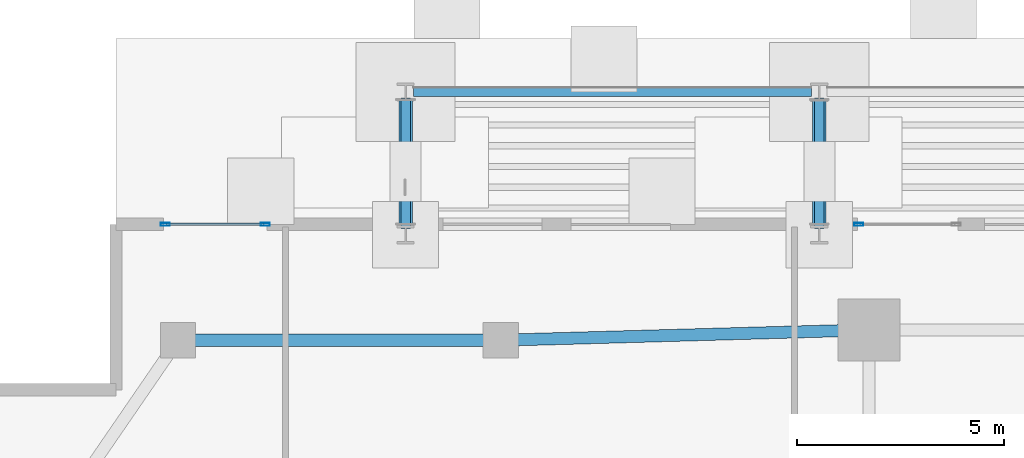
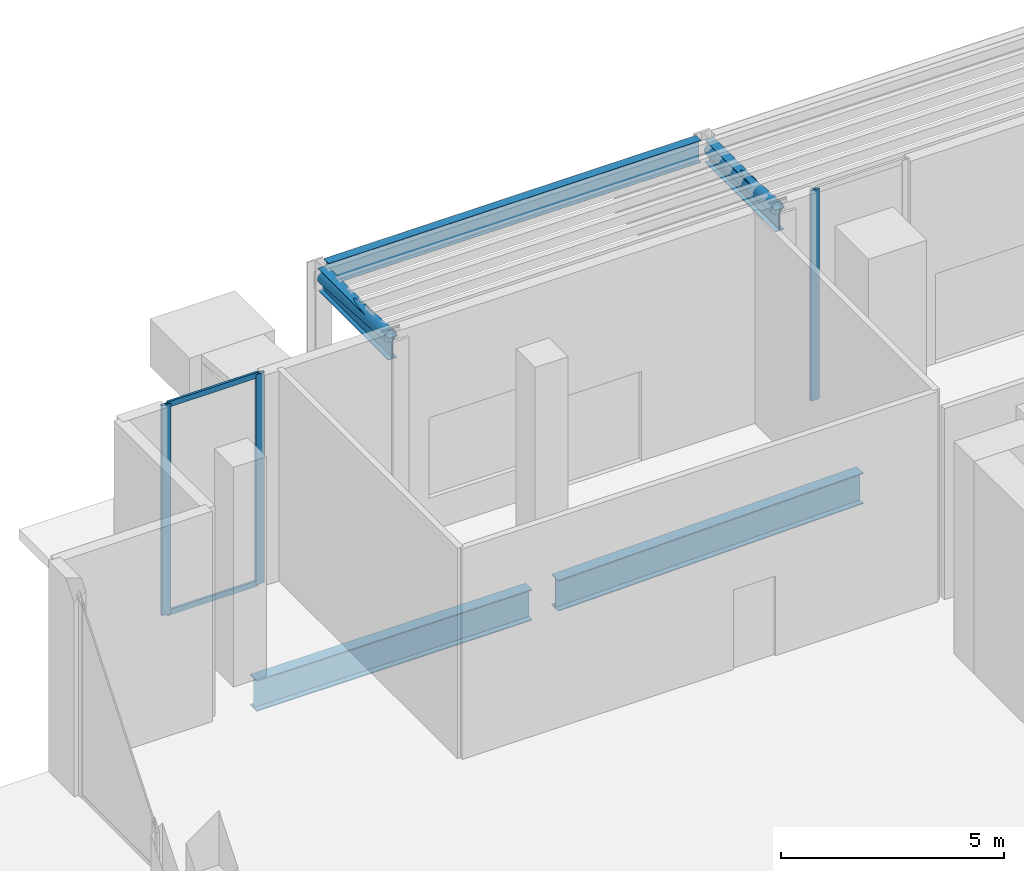
# One storey, part 15 of 39: 7 members, 5 beams, 2 elements without a shape of their own.
"""IFC4 building model written with IfcOpenShell, lengths in metres."""

from ifc_helpers import new_model, si_unit, direction, frame, origin, origin_2d, place, context, subcontext, project, spatial, hollow_rectangle, hollow_circle, i_section, extrude, material, layer, layer_set, material_profile, profile_set, type_object, element, aggregate, save


model = new_model("IFC4")

# Units and contexts
model_context = context("Model", 3, precision=1e-05, world=origin(), true_north=direction((0.0, 1.0)))
body_context = subcontext(model_context, "Body", "Model", "MODEL_VIEW")
ifc_project = project(units=[si_unit("LENGTHUNIT", "METRE"), si_unit("AREAUNIT", "SQUARE_METRE"), si_unit("VOLUMEUNIT", "CUBIC_METRE"), si_unit("PLANEANGLEUNIT", "RADIAN"), si_unit("MASSUNIT", "GRAM", prefix="KILO")], contexts=[model_context])

# Site, building, storey
site_placement = place(None, origin())
site = spatial("IfcSite", under=ifc_project, at=site_placement, CompositionType="ELEMENT")
building_placement = place(site_placement, origin())
building = spatial("IfcBuilding", under=site, at=building_placement, Name="Zuhayl Quay Hotel", CompositionType="ELEMENT")
storey_placement = place(building_placement, origin())
storey = spatial("IfcBuildingStorey", under=building, at=storey_placement, Name="L00", CompositionType="ELEMENT", Elevation=0.0)

# Beams
ifc_material_1 = material(Name="Steel ASTM A992 Grade 50", Category="steel")
ifc_material_profile_1 = material_profile(ifc_material_1, i_section(OverallWidth=0.22802734375, OverallDepth=0.60693359375, WebThickness=0.01123046875, FlangeThickness=0.017333984375, at=origin_2d()), Name="W24X76")
ifc_profile_set_1 = profile_set([ifc_material_profile_1], Name="Steel ASTM A992 Grade 50")
beam_type_1 = type_object("IfcBeamType", Name="BM_B3_W24X76", PredefinedType="BEAM", material=ifc_profile_set_1)
beam_1_placement = place(storey_placement, frame((-24.81005859375, 28.199951171875, 5.300048828125), z_axis=(1.0, 0.0, 0.0), x_axis=(0.0, 1.0, 0.0)))
element("IfcBeam", 1, at=beam_1_placement, inside=storey, type_object=beam_type_1, Name="Waterfront Colonnade Canopy Girder 1", PredefinedType="BEAM", context=body_context, shape_type="SweptSolid", body=[
    extrude(i_section(OverallWidth=0.22802734375, OverallDepth=0.60693359375, WebThickness=0.01123046875, FlangeThickness=0.017333984375, at=origin_2d()), origin(), (0.0, 0.0, 1.0), 9.6201171875),
])
for number, where, z_axis, x_axis, name in (
    (2, (-25.0, 24.89990234375, 5.300048828125), (0.0, 1.0, 0.0), (-1.0, 0.0, 0.0), "Waterfront Canopy Cantilever Tie 1"),
    (3, (-15.0, 24.89990234375, 5.300048828125), (0.0, 1.0, 0.0), (-1.0, 0.0, 0.0), "Waterfront Canopy Cantilever Tie 2"),
):
    element("IfcBeam", number, at=place(storey_placement, frame(where, z_axis=z_axis, x_axis=x_axis)), inside=storey, type_object=beam_type_1, Name=name, PredefinedType="BEAM", context=body_context, shape_type="SweptSolid", body=[
        extrude(i_section(OverallWidth=0.22802734375, OverallDepth=0.60693359375, WebThickness=0.01123046875, FlangeThickness=0.017333984375, at=origin_2d()), origin(), (0.0, 0.0, 1.0), 3.150146484375),
    ])
ifc_material_profile_2 = material_profile(ifc_material_1, i_section(OverallWidth=0.2919921875, OverallDepth=0.845947265625, WebThickness=0.015380859375, FlangeThickness=0.0244140625, at=origin_2d()), Name="W33X141")
ifc_profile_set_2 = profile_set([ifc_material_profile_2], Name="Steel ASTM A992 Grade 50")
beam_type_2 = type_object("IfcBeamType", Name="BM_PG3_W33X141", PredefinedType="BEAM", material=ifc_profile_set_2)
beam_2_placement = place(storey_placement, frame((-30.159912109375, 22.199951171875, -0.68310546875), z_axis=(1.0, 0.0, 0.0), x_axis=(0.0, 1.0, 0.0)))
element("IfcBeam", 4, at=beam_2_placement, inside=storey, type_object=beam_type_2, Name="L00 Floor Beam PG_N_L00_0", PredefinedType="BEAM", context=body_context, shape_type="SweptSolid", body=[
    extrude(i_section(OverallWidth=0.2919921875, OverallDepth=0.845947265625, WebThickness=0.015380859375, FlangeThickness=0.0244140625, at=origin_2d()), origin(), (0.0, 0.0, 1.0), 7.119873046875),
])
beam_3_placement = place(storey_placement, frame((-22.360107421875, 22.20947265625, -0.68310546875), z_axis=(0.99960539529, 0.028090099801, 0.0), x_axis=(-0.028090099801, 0.99960539529, 0.0)))
element("IfcBeam", 5, at=beam_3_placement, inside=storey, type_object=beam_type_2, Name="L00 Floor Beam PG_N_L00_1", PredefinedType="BEAM", context=body_context, shape_type="SweptSolid", body=[
    extrude(i_section(OverallWidth=0.2919921875, OverallDepth=0.845947265625, WebThickness=0.015380859375, FlangeThickness=0.0244140625, at=origin_2d()), origin(), (0.0, 0.0, 1.0), 8.013427734375),
])

# Members
ifc_material_2 = material(Name="Steel ASTM A500 Grade C", Category="steel")
ifc_material_profile_3 = material_profile(ifc_material_2, hollow_circle(Radius=0.161865234375, WallThickness=0.012451171875, at=origin_2d()), Name="CHS324X12")
ifc_profile_set_3 = profile_set([ifc_material_profile_3], Name="Steel ASTM A500 Grade C")
member_type_1 = type_object("IfcMemberType", Name="MB_CN_CHS324", PredefinedType="STRUT", material=ifc_profile_set_3)
for number, where, z_axis, x_axis, name in (
    (6, (-25.0, 25.02001953125, 5.550048828125), (0.0, 0.997771438089, -0.066724488266), (-1.0, 0.0, 0.0), "Waterfront Canopy Diagonal Hanger Strut 1"),
    (7, (-15.0, 25.02001953125, 5.550048828125), (0.0, 0.997771438089, -0.066724488266), (-1.0, 0.0, 0.0), "Waterfront Canopy Diagonal Hanger Strut 2"),
):
    element("IfcMember", number, at=place(storey_placement, frame(where, z_axis=z_axis, x_axis=x_axis)), inside=storey, type_object=member_type_1, Name=name, PredefinedType="STRUT", context=body_context, shape_type="SweptSolid", body=[
        extrude(hollow_circle(Radius=0.161865234375, WallThickness=0.012451171875, at=origin_2d()), origin(), (0.0, 0.0, 1.0), 2.99658203125),
    ])

# Curtain wall, members
ifc_material_3 = material(Name="Anodised Aluminium 6063-T6", Category="aluminium")
ifc_layer = layer(ifc_material_3, 0.199951171875, Name="Anodised Aluminium 6063-T6", Category="aluminium")
ifc_layer_set = layer_set([ifc_layer], Name="Anodised Aluminium 6063-T6")
curtain_wall_type = type_object("IfcCurtainWallType", Name="CW_SYS_POD", PredefinedType="USERDEFINED", material=ifc_layer_set)
curtain_wall_1_placement = place(storey_placement, origin())
curtain_wall_1 = element("IfcCurtainWall", 8, at=curtain_wall_1_placement, inside=storey, type_object=curtain_wall_type, Name="L00 Curtain Wall ENV_L00_E05_CW1", ObjectType="UNITISED CURTAIN WALL", PredefinedType="USERDEFINED")
ifc_material_4 = material(Name="Black-anodised aluminium 6063-T6", Category="aluminium")
ifc_material_profile_4 = material_profile(ifc_material_4, hollow_rectangle(XDim=0.074951171875, YDim=0.219970703125, WallThickness=0.00390625, at=origin_2d()), Name="ALU220X75")
ifc_profile_set_4 = profile_set([ifc_material_profile_4], Name="Black-anodised aluminium 6063-T6")
member_type_2 = type_object("IfcMemberType", Name="MB_CW_MUL_220", PredefinedType="MULLION", material=ifc_profile_set_4)
member_1_placement = place(storey_placement, frame((-30.8125, 25.0, 0.0), z_axis=(0.0, 0.0, 1.0), x_axis=(0.0, 1.0, 0.0)))
member_1 = element("IfcMember", 9, at=member_1_placement, type_object=member_type_2, Name="CW-POD mullion 1", PredefinedType="MULLION", context=body_context, shape_type="SweptSolid", body=[
    extrude(hollow_rectangle(XDim=0.074951171875, YDim=0.219970703125, WallThickness=0.00390625, at=origin_2d()), origin(), (0.0, 0.0, 1.0), 5.75),
])
member_2_placement = place(storey_placement, frame((-28.387451171875, 25.0, 0.0), z_axis=(0.0, 0.0, 1.0), x_axis=(0.0, 1.0, 0.0)))
member_2 = element("IfcMember", 10, at=member_2_placement, type_object=member_type_2, Name="CW-POD mullion 2", PredefinedType="MULLION", context=body_context, shape_type="SweptSolid", body=[
    extrude(hollow_rectangle(XDim=0.074951171875, YDim=0.219970703125, WallThickness=0.00390625, at=origin_2d()), origin(), (0.0, 0.0, 1.0), 5.75),
])

# Curtain wall, member
curtain_wall_2_placement = place(storey_placement, origin())
curtain_wall_2 = element("IfcCurtainWall", 11, at=curtain_wall_2_placement, inside=storey, type_object=curtain_wall_type, Name="L00 Curtain Wall ENV_L00_E05_CW2", ObjectType="UNITISED CURTAIN WALL", PredefinedType="USERDEFINED")
member_3_placement = place(storey_placement, frame((-14.04248046875, 25.0, 0.0), z_axis=(0.0, 0.0, 1.0), x_axis=(0.0, 1.0, 0.0)))
member_3 = element("IfcMember", 12, at=member_3_placement, type_object=member_type_2, Name="CW-POD mullion 1", PredefinedType="MULLION", context=body_context, shape_type="SweptSolid", body=[
    extrude(hollow_rectangle(XDim=0.074951171875, YDim=0.219970703125, WallThickness=0.00390625, at=origin_2d()), origin(), (0.0, 0.0, 1.0), 5.75),
])
aggregate(curtain_wall_2, [member_3])

# Member
ifc_material_profile_5 = material_profile(ifc_material_4, hollow_rectangle(XDim=0.06005859375, YDim=0.14990234375, WallThickness=0.00341796875, at=origin_2d()), Name="ALU150X60")
ifc_profile_set_5 = profile_set([ifc_material_profile_5], Name="Black-anodised aluminium 6063-T6")
member_type_3 = type_object("IfcMemberType", Name="MB_CW_TRN_150", PredefinedType="USERDEFINED", material=ifc_profile_set_5)
member_4_placement = place(storey_placement, frame((-30.77490234375, 25.0, 0.030029296875), z_axis=(1.0, 0.0, 0.0), x_axis=(0.0, 1.0, 0.0)))
member_4 = element("IfcMember", 13, at=member_4_placement, type_object=member_type_3, Name="CW-POD transom 1.1", ObjectType="TRANSOM", PredefinedType="USERDEFINED", context=body_context, shape_type="SweptSolid", body=[
    extrude(hollow_rectangle(XDim=0.06005859375, YDim=0.14990234375, WallThickness=0.00341796875, at=origin_2d()), origin(), (0.0, 0.0, 1.0), 2.349853515625),
])

member_5_placement = place(storey_placement, frame((-30.77490234375, 25.0, 5.719970703125), z_axis=(1.0, 0.0, 0.0), x_axis=(0.0, 1.0, 0.0)))
member_5 = element("IfcMember", 14, at=member_5_placement, type_object=member_type_3, Name="CW-POD transom 1.2", ObjectType="TRANSOM", PredefinedType="USERDEFINED", context=body_context, shape_type="SweptSolid", body=[
    extrude(hollow_rectangle(XDim=0.06005859375, YDim=0.14990234375, WallThickness=0.00341796875, at=origin_2d()), origin(), (0.0, 0.0, 1.0), 2.349853515625),
])

aggregate(curtain_wall_1, [member_1, member_2, member_4, member_5])

save(model, "model.ifc")
